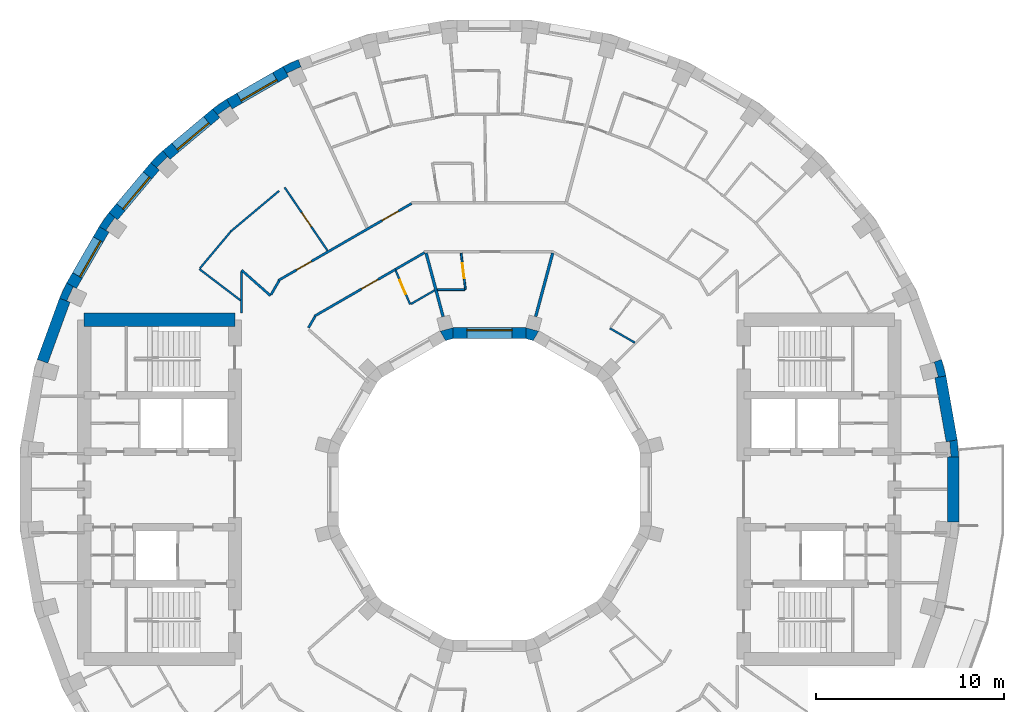
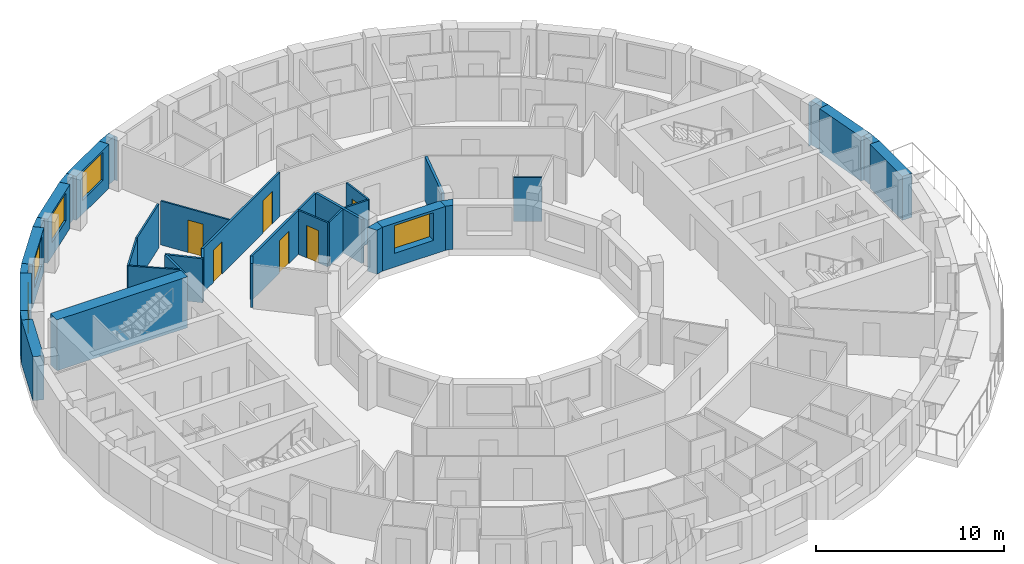
# One storey, part 10 of 14: 36 walls, 6 doors, 5 windows, 11 openings.
"""IFC4 building model written with IfcOpenShell, lengths in metres."""

from ifc_helpers import new_model, si_unit, direction, frame, frame_2d, origin, place, context, subcontext, project, spatial, polyline, rectangle, outline, extrude, material, layer, layer_set, type_object, element, fill, save


model = new_model("IFC4")

# Units and contexts
model_context = context("Model", 3, precision=1e-05, world=origin(), true_north=direction((0.0, 1.0)))
body_context = subcontext(model_context, "Body", "Model", "MODEL_VIEW")
ifc_project = project(units=[si_unit("LENGTHUNIT", "METRE"), si_unit("AREAUNIT", "SQUARE_METRE"), si_unit("VOLUMEUNIT", "CUBIC_METRE"), si_unit("PLANEANGLEUNIT", "RADIAN"), si_unit("MASSUNIT", "GRAM", prefix="KILO")], contexts=[model_context])

# Site, building, storey
site_placement = place(None, origin())
site = spatial("IfcSite", under=ifc_project, at=site_placement, CompositionType="ELEMENT")
building_placement = place(site_placement, origin())
building = spatial("IfcBuilding", under=site, at=building_placement, Name="Saqina Gate Tower", CompositionType="ELEMENT")
storey_placement = place(building_placement, frame((0.0, 0.0, 174.0)))
storey = spatial("IfcBuildingStorey", under=building, at=storey_placement, Name="L49", CompositionType="ELEMENT", Elevation=174.0)

# Walls
ifc_material_1 = material(Name="Brick masonry (buff)", Category="masonry")
wall_type_1 = type_object("IfcWallType", Name="BRICK PIER COPING BUFF", PredefinedType="SOLIDWALL", material=ifc_material_1)
wall_1_placement = place(storey_placement, origin())
element("IfcWall", 1, at=wall_1_placement, inside=storey, type_object=wall_type_1, Name="Pier cap L49 column 1", PredefinedType="SOLIDWALL", context=body_context, shape_type="SweptSolid", body=[
    extrude(outline(polyline([(24.90478515625, 1.724853515625), (24.825927734375, 2.6259765625), (24.235107421875, 2.521728515625), (24.421630859375, 2.5380859375), (24.491455078125, 1.7412109375), (24.304931640625, 1.724853515625), (24.90478515625, 1.724853515625)])), origin(), (0.0, 0.0, 1.0), 2.85009765625),
])
wall_2_placement = place(storey_placement, origin())
element("IfcWall", 2, at=wall_2_placement, inside=storey, type_object=wall_type_1, Name="Pier cap L49 column 2", PredefinedType="SOLIDWALL", context=body_context, shape_type="SweptSolid", body=[
    extrude(outline(polyline([(24.22705078125, 6.0234375), (23.992919921875, 6.897216796875), (23.428955078125, 6.69189453125), (23.610107421875, 6.740478515625), (23.81689453125, 5.967529296875), (23.635986328125, 5.919189453125), (24.22705078125, 6.0234375)])), origin(), (0.0, 0.0, 1.0), 2.85009765625),
])
wall_3_placement = place(storey_placement, origin())
element("IfcWall", 3, at=wall_3_placement, inside=storey, type_object=wall_type_1, Name="Pier cap L49 column 12", PredefinedType="SOLIDWALL", context=body_context, shape_type="SweptSolid", body=[
    extrude(outline(polyline([(-10.958740234375, 22.4306640625), (-10.65869140625, 21.9111328125), (-10.73779296875, 22.080810546875), (-10.0126953125, 22.4189453125), (-9.93359375, 22.249267578125), (-10.138916015625, 22.81298828125), (-10.958740234375, 22.4306640625)])), origin(), (0.0, 0.0, 1.0), 2.85009765625),
])
wall_4_placement = place(storey_placement, origin())
element("IfcWall", 4, at=wall_4_placement, inside=storey, type_object=wall_type_1, Name="Pier cap L49 column 13", PredefinedType="SOLIDWALL", context=body_context, shape_type="SweptSolid", body=[
    extrude(outline(polyline([(-13.9462890625, 20.705810546875), (-14.687255859375, 20.18701171875), (-14.301513671875, 19.727294921875), (-14.408935546875, 19.880859375), (-13.753662109375, 20.339599609375), (-13.646240234375, 20.186279296875), (-13.9462890625, 20.705810546875)])), origin(), (0.0, 0.0, 1.0), 2.85009765625),
])
wall_5_placement = place(storey_placement, origin())
element("IfcWall", 5, at=wall_5_placement, inside=storey, type_object=wall_type_1, Name="Pier cap L49 column 14", PredefinedType="SOLIDWALL", context=body_context, shape_type="SweptSolid", body=[
    extrude(outline(polyline([(-17.969482421875, 17.329833984375), (-17.510009765625, 16.944091796875), (-17.642333984375, 17.07666015625), (-17.07666015625, 17.642333984375), (-16.944091796875, 17.510009765625), (-17.329833984375, 17.969482421875), (-17.969482421875, 17.329833984375)])), origin(), (0.0, 0.0, 1.0), 2.85009765625),
])
wall_6_placement = place(storey_placement, origin())
element("IfcWall", 6, at=wall_6_placement, inside=storey, type_object=wall_type_1, Name="Pier cap L49 column 15", PredefinedType="SOLIDWALL", context=body_context, shape_type="SweptSolid", body=[
    extrude(outline(polyline([(-20.18701171875, 14.687255859375), (-20.705810546875, 13.9462890625), (-20.186279296875, 13.646240234375), (-20.339599609375, 13.753662109375), (-19.880859375, 14.408935546875), (-19.727294921875, 14.301513671875), (-20.18701171875, 14.687255859375)])), origin(), (0.0, 0.0, 1.0), 2.85009765625),
])
wall_7_placement = place(storey_placement, origin())
element("IfcWall", 7, at=wall_7_placement, inside=storey, type_object=wall_type_1, Name="Pier cap L49 column 16", PredefinedType="SOLIDWALL", context=body_context, shape_type="SweptSolid", body=[
    extrude(outline(polyline([(-22.81298828125, 10.138916015625), (-22.249267578125, 9.93359375), (-22.4189453125, 10.0126953125), (-22.080810546875, 10.73779296875), (-21.9111328125, 10.65869140625), (-22.4306640625, 10.958740234375), (-22.81298828125, 10.138916015625)])), origin(), (0.0, 0.0, 1.0), 2.85009765625),
])

# Wall, opening, window
ifc_material_2 = material(Name="Brick masonry (buff)", Category="masonry")
ifc_layer_1 = layer(ifc_material_2, 0.60009765625)
ifc_layer_set_1 = layer_set([ifc_layer_1], Name="FW-BRICK-BUFF")
wall_type_2 = type_object("IfcWallType", Name="FW-BRICK-BUFF", PredefinedType="SOLIDWALL", material=ifc_layer_set_1)
wall_8_placement = place(storey_placement, frame((-10.80859375, 22.1708984375, 0.0), z_axis=(0.0, 0.0, 1.0), x_axis=(-0.86602648383, -0.499998129301, 0.0)))
wall_8 = element("IfcWall", 8, at=wall_8_placement, inside=storey, type_object=wall_type_2, Name="Facade wall L49 facet 12", PredefinedType="SOLIDWALL", context=body_context, shape_type="SweptSolid", body=[
    extrude(rectangle(XDim=3.44970703125, YDim=0.60009765625, at=frame_2d((1.724853515625, 0.0))), origin(), (0.0, 0.0, 1.0), 2.85009765625),
])
opening_1_placement = place(wall_8_placement, frame((0.625, 0.0, 0.89990234375)))
opening_1 = element("IfcOpeningElement", 9, at=opening_1_placement, cuts=wall_8, Name="Opening G14-W10", PredefinedType="OPENING", context=body_context, shape_type="SweptSolid", body=[
    extrude(rectangle(XDim=2.199951171875, YDim=1.800048828125, at=frame_2d((1.10009765625, 0.89990234375))), frame((0.0, 0.31201171875, 0.0), z_axis=(0.0, -1.0, 0.0), x_axis=(1.0, 0.0, 0.0)), (0.0, 0.0, 1.0), 0.6240234375),
])
ifc_material_3 = material(Name="Aluminium glazing", Category="aluminium")
window_type_1 = type_object("IfcWindowType", Name="WN-C", PartitioningType="SINGLE_PANEL", PredefinedType="WINDOW", material=ifc_material_3)
window_1_placement = place(opening_1_placement, origin())
window_1 = element("IfcWindow", 10, at=window_1_placement, inside=storey, type_object=window_type_1, Name="Window L49 facet 12", OverallHeight=1.800048828125, OverallWidth=2.199951171875, PartitioningType="SINGLE_PANEL", PredefinedType="WINDOW", context=body_context, shape_type="SweptSolid", body=[
    extrude(rectangle(XDim=2.199951171875, YDim=1.800048828125, at=frame_2d((1.10009765625, 0.89990234375))), frame((0.0, 0.179931640625, 0.0), z_axis=(0.0, -1.0, 0.0), x_axis=(1.0, 0.0, 0.0)), (0.0, 0.0, 1.0), 0.06005859375),
])
fill(opening_1, window_1)

wall_9_placement = place(storey_placement, frame((-14.494384765625, 19.95703125, 0.0), z_axis=(0.0, 0.0, 1.0), x_axis=(-0.766058884809, -0.642770398358, 0.0)))
wall_9 = element("IfcWall", 11, at=wall_9_placement, inside=storey, type_object=wall_type_2, Name="Facade wall L49 facet 13", PredefinedType="SOLIDWALL", context=body_context, shape_type="SweptSolid", body=[
    extrude(rectangle(XDim=3.449462890625, YDim=0.60009765625, at=frame_2d((1.724609375, 0.0))), origin(), (0.0, 0.0, 1.0), 2.85009765625),
])
opening_2_placement = place(wall_9_placement, frame((0.625, 0.0, 0.89990234375)))
opening_2 = element("IfcOpeningElement", 12, at=opening_2_placement, cuts=wall_9, Name="Opening G14-W11", PredefinedType="OPENING", context=body_context, shape_type="SweptSolid", body=[
    extrude(rectangle(XDim=2.199951171875, YDim=1.800048828125, at=frame_2d((1.10009765625, 0.89990234375))), frame((0.0, 0.31201171875, 0.0), z_axis=(0.0, -1.0, 0.0), x_axis=(1.0, 0.0, 0.0)), (0.0, 0.0, 1.0), 0.6240234375),
])
window_2_placement = place(opening_2_placement, origin())
window_2 = element("IfcWindow", 13, at=window_2_placement, inside=storey, type_object=window_type_1, Name="Window L49 facet 13", OverallHeight=1.800048828125, OverallWidth=2.199951171875, PartitioningType="SINGLE_PANEL", PredefinedType="WINDOW", context=body_context, shape_type="SweptSolid", body=[
    extrude(rectangle(XDim=2.199951171875, YDim=1.800048828125, at=frame_2d((1.10009765625, 0.89990234375))), frame((0.0, 0.179931640625, 0.0), z_axis=(0.0, -1.0, 0.0), x_axis=(1.0, 0.0, 0.0)), (0.0, 0.0, 1.0), 0.06005859375),
])
fill(opening_2, window_2)

wall_10_placement = place(storey_placement, frame((-17.73974609375, 17.136962890625, 0.0), z_axis=(0.0, 0.0, 1.0), x_axis=(-0.642770398358, -0.766058884809, 0.0)))
wall_10 = element("IfcWall", 14, at=wall_10_placement, inside=storey, type_object=wall_type_2, Name="Facade wall L49 facet 14", PredefinedType="SOLIDWALL", context=body_context, shape_type="SweptSolid", body=[
    extrude(rectangle(XDim=3.449462890625, YDim=0.60009765625, at=frame_2d((1.724609375, 0.0))), origin(), (0.0, 0.0, 1.0), 2.85009765625),
])
opening_3_placement = place(wall_10_placement, frame((0.625, 0.0, 0.89990234375)))
opening_3 = element("IfcOpeningElement", 15, at=opening_3_placement, cuts=wall_10, Name="Opening G14-W12", PredefinedType="OPENING", context=body_context, shape_type="SweptSolid", body=[
    extrude(rectangle(XDim=2.199951171875, YDim=1.800048828125, at=frame_2d((1.10009765625, 0.89990234375))), frame((0.0, 0.31201171875, 0.0), z_axis=(0.0, -1.0, 0.0), x_axis=(1.0, 0.0, 0.0)), (0.0, 0.0, 1.0), 0.6240234375),
])
window_3_placement = place(opening_3_placement, origin())
window_3 = element("IfcWindow", 16, at=window_3_placement, inside=storey, type_object=window_type_1, Name="Window L49 facet 14", OverallHeight=1.800048828125, OverallWidth=2.199951171875, PartitioningType="SINGLE_PANEL", PredefinedType="WINDOW", context=body_context, shape_type="SweptSolid", body=[
    extrude(rectangle(XDim=2.199951171875, YDim=1.800048828125, at=frame_2d((1.10009765625, 0.89990234375))), frame((0.0, 0.179931640625, 0.0), z_axis=(0.0, -1.0, 0.0), x_axis=(1.0, 0.0, 0.0)), (0.0, 0.0, 1.0), 0.06005859375),
])
fill(opening_3, window_3)

wall_11_placement = place(storey_placement, frame((-20.446044921875, 13.796142578125, 0.0), z_axis=(0.0, 0.0, 1.0), x_axis=(-0.499998129301, -0.86602648383, 0.0)))
wall_11 = element("IfcWall", 17, at=wall_11_placement, inside=storey, type_object=wall_type_2, Name="Facade wall L49 facet 15", PredefinedType="SOLIDWALL", context=body_context, shape_type="SweptSolid", body=[
    extrude(rectangle(XDim=3.44970703125, YDim=0.60009765625, at=frame_2d((1.724853515625, 0.0))), origin(), (0.0, 0.0, 1.0), 2.85009765625),
])
opening_4_placement = place(wall_11_placement, frame((0.625, 0.0, 0.89990234375)))
opening_4 = element("IfcOpeningElement", 18, at=opening_4_placement, cuts=wall_11, Name="Opening G14-W13", PredefinedType="OPENING", context=body_context, shape_type="SweptSolid", body=[
    extrude(rectangle(XDim=2.199951171875, YDim=1.800048828125, at=frame_2d((1.10009765625, 0.89990234375))), frame((0.0, 0.31201171875, 0.0), z_axis=(0.0, -1.0, 0.0), x_axis=(1.0, 0.0, 0.0)), (0.0, 0.0, 1.0), 0.6240234375),
])
window_4_placement = place(opening_4_placement, origin())
window_4 = element("IfcWindow", 19, at=window_4_placement, inside=storey, type_object=window_type_1, Name="Window L49 facet 15", OverallHeight=1.800048828125, OverallWidth=2.199951171875, PartitioningType="SINGLE_PANEL", PredefinedType="WINDOW", context=body_context, shape_type="SweptSolid", body=[
    extrude(rectangle(XDim=2.199951171875, YDim=1.800048828125, at=frame_2d((1.10009765625, 0.89990234375))), frame((0.0, 0.179931640625, 0.0), z_axis=(0.0, -1.0, 0.0), x_axis=(1.0, 0.0, 0.0)), (0.0, 0.0, 1.0), 0.06005859375),
])
fill(opening_4, window_4)

# Walls
ifc_material_4 = material(Name="Glazed ceramic tile", Category="ceramic")
ifc_layer_2 = layer(ifc_material_4, 0.60009765625)
ifc_layer_set_2 = layer_set([ifc_layer_2], Name="FW-TILE")
wall_type_3 = type_object("IfcWallType", Name="FW-TILE", PredefinedType="SOLIDWALL", material=ifc_layer_set_2)
for number, where, z_axis, x_axis, name in (
    (20, (-22.531005859375, 10.0361328125, 0.0), (0.0, 0.0, 1.0), (-0.342032843455, -0.93968799822, 0.0), "Facade wall L49 facet 16"),
    (21, (24.60498046875, -1.724853515625, 0.0), (0.0, 0.0, 1.0), (0.0, 1.0, 0.0), "Facade wall L49 facet 36"),
):
    element("IfcWall", number, at=place(storey_placement, frame(where, z_axis=z_axis, x_axis=x_axis)), inside=storey, type_object=wall_type_3, Name=name, PredefinedType="SOLIDWALL", context=body_context, shape_type="SweptSolid", body=[
        extrude(rectangle(XDim=3.44970703125, YDim=0.60009765625, at=frame_2d((1.724853515625, 0.0))), origin(), (0.0, 0.0, 1.0), 2.85009765625),
    ])
ifc_material_5 = material(Name="Glazed ceramic tile (dark blue)", Category="ceramic")
ifc_layer_3 = layer(ifc_material_5, 0.60009765625)
ifc_layer_set_3 = layer_set([ifc_layer_3], Name="FW-TILE-CB")
wall_type_4 = type_object("IfcWallType", Name="FW-TILE-CB", PredefinedType="SOLIDWALL", material=ifc_layer_set_3)
wall_12_placement = place(storey_placement, frame((24.530517578125, 2.573974609375, 0.0), z_axis=(0.0, 0.0, 1.0), x_axis=(-0.173607684551, 0.984814892183, 0.0)))
element("IfcWall", 22, at=wall_12_placement, inside=storey, type_object=wall_type_4, Name="Facade wall L49 facet 1", PredefinedType="SOLIDWALL", context=body_context, shape_type="SweptSolid", body=[
    extrude(rectangle(XDim=3.44970703125, YDim=0.60009765625, at=frame_2d((1.724853515625, 0.0))), origin(), (0.0, 0.0, 1.0), 2.85009765625),
])

# Wall, opening, window
ifc_material_6 = material(Name="Glazed ceramic tile", Category="ceramic")
ifc_layer_4 = layer(ifc_material_6, 0.60009765625)
ifc_layer_set_4 = layer_set([ifc_layer_4], Name="IW-TILE")
wall_type_5 = type_object("IfcWallType", Name="IW-TILE", PredefinedType="SOLIDWALL", material=ifc_layer_set_4)
wall_13_placement = place(storey_placement, frame((1.934814453125, 8.300048828125, 0.0), z_axis=(0.0, 0.0, 1.0), x_axis=(-1.0, 0.0, 0.0)))
wall_13 = element("IfcWall", 23, at=wall_13_placement, inside=storey, type_object=wall_type_5, Name="Well wall L49 facet 3", PredefinedType="SOLIDWALL", context=body_context, shape_type="SweptSolid", body=[
    extrude(rectangle(XDim=3.86962890625, YDim=0.60009765625, at=frame_2d((1.934814453125, 0.0))), origin(), (0.0, 0.0, 1.0), 2.85009765625),
])
opening_5_placement = place(wall_13_placement, frame((0.73486328125, 0.0, 0.89990234375)))
opening_5 = element("IfcOpeningElement", 24, at=opening_5_placement, cuts=wall_13, Name="Opening G14-W26", PredefinedType="OPENING", context=body_context, shape_type="SweptSolid", body=[
    extrude(rectangle(XDim=2.39990234375, YDim=1.800048828125, at=frame_2d((1.199951171875, 0.89990234375))), frame((0.0, 0.31201171875, 0.0), z_axis=(0.0, -1.0, 0.0), x_axis=(1.0, 0.0, 0.0)), (0.0, 0.0, 1.0), 0.6240234375),
])
ifc_material_7 = material(Name="Aluminium glazing", Category="aluminium")
window_type_2 = type_object("IfcWindowType", Name="WN-W", PartitioningType="SINGLE_PANEL", PredefinedType="WINDOW", material=ifc_material_7)
window_5_placement = place(opening_5_placement, origin())
window_5 = element("IfcWindow", 25, at=window_5_placement, inside=storey, type_object=window_type_2, Name="Well window L49 facet 3", OverallHeight=1.800048828125, OverallWidth=2.39990234375, PartitioningType="SINGLE_PANEL", PredefinedType="WINDOW", context=body_context, shape_type="SweptSolid", body=[
    extrude(rectangle(XDim=2.39990234375, YDim=1.800048828125, at=frame_2d((1.199951171875, 0.89990234375))), frame((0.0, -0.119873046875, 0.0), z_axis=(0.0, -1.0, 0.0), x_axis=(1.0, 0.0, 0.0)), (0.0, 0.0, 1.0), 0.06005859375),
])
fill(opening_5, window_5)

# Wall, opening, door
ifc_material_8 = material(Name="Gypsum board on steel studs, 100 mm", Category="steel")
ifc_layer_5 = layer(ifc_material_8, 0.10009765625)
ifc_layer_set_5 = layer_set([ifc_layer_5], Name="PARTITION 100")
wall_type_6 = type_object("IfcWallType", Name="PARTITION 100", PredefinedType="PARTITIONING", material=ifc_layer_set_5)
wall_14_placement = place(storey_placement, frame((-1.49853515625, 12.537841796875, 0.0), z_axis=(0.0, 0.0, 1.0), x_axis=(0.118597630283, -0.99294239616, 0.0)))
wall_14 = element("IfcWall", 26, at=wall_14_placement, inside=storey, type_object=wall_type_6, Name="PARTITION PW3-06", PredefinedType="PARTITIONING", context=body_context, shape_type="SweptSolid", body=[
    extrude(rectangle(XDim=1.951416015625, YDim=0.10009765625, at=frame_2d((0.9755859375, 0.0))), origin(), (0.0, 0.0, 1.0), 2.85009765625),
])
opening_6_placement = place(wall_14_placement, frame((0.544677734375, 0.0, 0.0)))
opening_6 = element("IfcOpeningElement", 27, at=opening_6_placement, cuts=wall_14, Name="Opening G14-D20", PredefinedType="OPENING", context=body_context, shape_type="SweptSolid", body=[
    extrude(rectangle(XDim=0.800048828125, YDim=2.10009765625, at=frame_2d((0.39990234375, 1.050048828125))), frame((0.0, 0.06201171875, 0.0), z_axis=(0.0, -1.0, 0.0), x_axis=(1.0, 0.0, 0.0)), (0.0, 0.0, 1.0), 0.1240234375),
])
ifc_material_9 = material(Name="Timber door leaf, 800 mm", Category="wood")
door_type_1 = type_object("IfcDoorType", Name="DOOR 800 TIMBER", OperationType="SINGLE_SWING_LEFT", PredefinedType="DOOR", material=ifc_material_9)
door_1_placement = place(opening_6_placement, origin())
door_1 = element("IfcDoor", 28, at=door_1_placement, inside=storey, type_object=door_type_1, Name="DOOR G14-D20", OperationType="SINGLE_SWING_LEFT", OverallHeight=2.10009765625, OverallWidth=0.800048828125, PredefinedType="DOOR", context=body_context, shape_type="SweptSolid", body=[
    extrude(rectangle(XDim=0.800048828125, YDim=2.10009765625, at=frame_2d((0.39990234375, 1.050048828125))), frame((0.0, 0.02490234375, 0.0), z_axis=(0.0, -1.0, 0.0), x_axis=(1.0, 0.0, 0.0)), (0.0, 0.0, 1.0), 0.050048828125),
])
fill(opening_6, door_1)

wall_15_placement = place(storey_placement, frame((-4.971435546875, 11.607421875, 0.0), z_axis=(0.0, 0.0, 1.0), x_axis=(0.393707969646, -0.919235570807, 0.0)))
wall_15 = element("IfcWall", 29, at=wall_15_placement, inside=storey, type_object=wall_type_6, Name="PARTITION PW3-17", PredefinedType="PARTITIONING", context=body_context, shape_type="SweptSolid", body=[
    extrude(rectangle(XDim=1.9521484375, YDim=0.10009765625, at=frame_2d((0.97607421875, 0.0))), origin(), (0.0, 0.0, 1.0), 2.85009765625),
])
opening_7_placement = place(wall_15_placement, frame((0.544677734375, 0.0, 0.0)))
opening_7 = element("IfcOpeningElement", 30, at=opening_7_placement, cuts=wall_15, Name="Opening G14-D27", PredefinedType="OPENING", context=body_context, shape_type="SweptSolid", body=[
    extrude(rectangle(XDim=0.800048828125, YDim=2.10009765625, at=frame_2d((0.39990234375, 1.050048828125))), frame((0.0, 0.06201171875, 0.0), z_axis=(0.0, -1.0, 0.0), x_axis=(1.0, 0.0, 0.0)), (0.0, 0.0, 1.0), 0.1240234375),
])
door_2_placement = place(opening_7_placement, frame((0.800048828125, 0.0, 0.0), z_axis=(0.0, 0.0, 1.0), x_axis=(-1.0, 0.0, 0.0)))
door_2 = element("IfcDoor", 31, at=door_2_placement, inside=storey, type_object=door_type_1, Name="DOOR G14-D27", OperationType="SINGLE_SWING_RIGHT", OverallHeight=2.10009765625, OverallWidth=0.800048828125, PredefinedType="DOOR", context=body_context, shape_type="SweptSolid", body=[
    extrude(rectangle(XDim=0.800048828125, YDim=2.10009765625, at=frame_2d((0.39990234375, 1.050048828125))), frame((0.0, 0.02490234375, 0.0), z_axis=(0.0, -1.0, 0.0), x_axis=(1.0, 0.0, 0.0)), (0.0, 0.0, 1.0), 0.050048828125),
])
fill(opening_7, door_2)

wall_16_placement = place(storey_placement, frame((-10.862060546875, 16.02001953125, 0.0), z_axis=(0.0, 0.0, 1.0), x_axis=(0.5612995905, -0.827612693054, 0.0)))
wall_16 = element("IfcWall", 32, at=wall_16_placement, inside=storey, type_object=wall_type_6, Name="PARTITION PW3-24", PredefinedType="PARTITIONING", context=body_context, shape_type="SweptSolid", body=[
    extrude(rectangle(XDim=4.052978515625, YDim=0.10009765625, at=frame_2d((2.0263671875, 0.0))), origin(), (0.0, 0.0, 1.0), 2.85009765625),
])
opening_8_placement = place(wall_16_placement, frame((1.607666015625, 0.0, 0.0)))
opening_8 = element("IfcOpeningElement", 33, at=opening_8_placement, cuts=wall_16, Name="Opening G14-D29", PredefinedType="OPENING", context=body_context, shape_type="SweptSolid", body=[
    extrude(rectangle(XDim=0.89990234375, YDim=2.10009765625, at=frame_2d((0.449951171875, 1.050048828125))), frame((0.0, 0.06201171875, 0.0), z_axis=(0.0, -1.0, 0.0), x_axis=(1.0, 0.0, 0.0)), (0.0, 0.0, 1.0), 0.1240234375),
])
ifc_material_10 = material(Name="Timber door leaf, 900 mm", Category="wood")
door_type_2 = type_object("IfcDoorType", Name="DOOR 900 TIMBER", OperationType="SINGLE_SWING_LEFT", PredefinedType="DOOR", material=ifc_material_10)
door_3_placement = place(opening_8_placement, origin())
door_3 = element("IfcDoor", 34, at=door_3_placement, inside=storey, type_object=door_type_2, Name="DOOR G14-D29", OperationType="SINGLE_SWING_RIGHT", OverallHeight=2.10009765625, OverallWidth=0.89990234375, PredefinedType="DOOR", context=body_context, shape_type="SweptSolid", body=[
    extrude(rectangle(XDim=0.89990234375, YDim=2.10009765625, at=frame_2d((0.449951171875, 1.050048828125))), frame((0.0, 0.02490234375, 0.0), z_axis=(0.0, -1.0, 0.0), x_axis=(1.0, 0.0, 0.0)), (0.0, 0.0, 1.0), 0.050048828125),
])
fill(opening_8, door_3)

# Walls
wall_17_placement = place(storey_placement, frame((-15.389892578125, 11.69091796875, 0.0), z_axis=(0.0, 0.0, 1.0), x_axis=(0.796245993269, -0.604972989647, 0.0)))
element("IfcWall", 35, at=wall_17_placement, inside=storey, type_object=wall_type_6, Name="PARTITION PW3-32", PredefinedType="PARTITIONING", context=body_context, shape_type="SweptSolid", body=[
    extrude(rectangle(XDim=2.750732421875, YDim=0.10009765625, at=frame_2d((1.37548828125, 0.0))), origin(), (0.0, 0.0, 1.0), 2.85009765625),
])
wall_18_placement = place(storey_placement, frame((6.39697265625, 8.5458984375, 0.0), z_axis=(0.0, 0.0, 1.0), x_axis=(0.866313615635, -0.499500469836, 0.0)))
element("IfcWall", 36, at=wall_18_placement, inside=storey, type_object=wall_type_6, Name="PARTITION PW3-39", PredefinedType="PARTITIONING", context=body_context, shape_type="SweptSolid", body=[
    extrude(rectangle(XDim=1.5234375, YDim=0.10009765625, at=frame_2d((0.76171875, 0.0))), origin(), (0.0, 0.0, 1.0), 2.85009765625),
])
wall_19_placement = place(storey_placement, frame((-2.764892578125, 10.60009765625, 0.0), z_axis=(0.0, 0.0, 1.0), x_axis=(1.0, 0.0, 0.0)))
element("IfcWall", 37, at=wall_19_placement, inside=storey, type_object=wall_type_6, Name="PARTITION PW3-54", PredefinedType="PARTITIONING", context=body_context, shape_type="SweptSolid", body=[
    extrude(rectangle(XDim=1.447998046875, YDim=0.10009765625, at=frame_2d((0.72412109375, 0.0))), origin(), (0.0, 0.0, 1.0), 2.85009765625),
])
wall_20_placement = place(storey_placement, frame((-4.15966796875, 9.837890625, 0.0), z_axis=(0.0, 0.0, 1.0), x_axis=(0.865952650684, 0.500125990899, 0.0)))
element("IfcWall", 38, at=wall_20_placement, inside=storey, type_object=wall_type_6, Name="PARTITION PW3-71", PredefinedType="PARTITIONING", context=body_context, shape_type="SweptSolid", body=[
    extrude(rectangle(XDim=1.448974609375, YDim=0.10009765625, at=frame_2d((0.724609375, 0.0))), origin(), (0.0, 0.0, 1.0), 2.85009765625),
])
wall_21_placement = place(storey_placement, frame((-13.741943359375, 13.67041015625, 0.0), z_axis=(0.0, 0.0, 1.0), x_axis=(0.766150226106, 0.642661521361, 0.0)))
element("IfcWall", 39, at=wall_21_placement, inside=storey, type_object=wall_type_6, Name="PARTITION PW3-77", PredefinedType="PARTITIONING", context=body_context, shape_type="SweptSolid", body=[
    extrude(rectangle(XDim=3.378662109375, YDim=0.10009765625, at=frame_2d((1.689453125, 0.0))), origin(), (0.0, 0.0, 1.0), 2.85009765625),
])
wall_22_placement = place(storey_placement, frame((-15.35693359375, 11.731201171875, 0.0), z_axis=(0.0, 0.0, 1.0), x_axis=(0.64263607703, 0.76617156858, 0.0)))
element("IfcWall", 40, at=wall_22_placement, inside=storey, type_object=wall_type_6, Name="PARTITION PW3-82", PredefinedType="PARTITIONING", context=body_context, shape_type="SweptSolid", body=[
    extrude(rectangle(XDim=2.523681640625, YDim=0.10009765625, at=frame_2d((1.26171875, 0.0))), origin(), (0.0, 0.0, 1.0), 2.85009765625),
])
ifc_material_11 = material(Name="Gypsum board on steel studs, 125 mm, fire rated", Category="steel")
ifc_layer_6 = layer(ifc_material_11, 0.125)
ifc_layer_set_6 = layer_set([ifc_layer_6], Name="PARTITION EI 30 125")
wall_type_7 = type_object("IfcWallType", Name="PARTITION EI 30 125", PredefinedType="PARTITIONING", material=ifc_layer_set_6)
wall_23_placement = place(storey_placement, frame((-13.14990234375, 11.634033203125, 0.0), z_axis=(0.0, 0.0, 1.0), x_axis=(0.74902616167, -0.662540420754, 0.0)))
element("IfcWall", 41, at=wall_23_placement, inside=storey, type_object=wall_type_7, Name="PARTITION PW1-10", PredefinedType="PARTITIONING", context=body_context, shape_type="SweptSolid", body=[
    extrude(rectangle(XDim=2.046630859375, YDim=0.125, at=frame_2d((1.0234375, 0.0))), origin(), (0.0, 0.0, 1.0), 2.85009765625),
])

# Wall, opening, door
wall_24_placement = place(storey_placement, frame((-9.28662109375, 9.18798828125, 0.0), z_axis=(0.0, 0.0, 1.0), x_axis=(0.866054867757, 0.499948963429, 0.0)))
wall_24 = element("IfcWall", 42, at=wall_24_placement, inside=storey, type_object=wall_type_7, Name="PARTITION PW1-39", PredefinedType="PARTITIONING", context=body_context, shape_type="SweptSolid", body=[
    extrude(rectangle(XDim=4.97607421875, YDim=0.125, at=frame_2d((2.488037109375, 0.0))), origin(), (0.0, 0.0, 1.0), 2.85009765625),
])
opening_9_placement = place(wall_24_placement, frame((2.897705078125, 0.0, 0.0)))
opening_9 = element("IfcOpeningElement", 43, at=opening_9_placement, cuts=wall_24, Name="Opening G14-D28", PredefinedType="OPENING", context=body_context, shape_type="SweptSolid", body=[
    extrude(rectangle(XDim=1.0, YDim=2.10009765625, at=frame_2d((0.5, 1.050048828125))), frame((0.0, 0.074462890625, 0.0), z_axis=(0.0, -1.0, 0.0), x_axis=(1.0, 0.0, 0.0)), (0.0, 0.0, 1.0), 0.14892578125),
])
ifc_material_12 = material(Name="Fire door leaf EI 30, 1000 mm")
door_type_3 = type_object("IfcDoorType", Name="DOOR 1000 EI 30", OperationType="SINGLE_SWING_LEFT", PredefinedType="DOOR", material=ifc_material_12)
door_4_placement = place(opening_9_placement, frame((1.0, 0.0, 0.0), z_axis=(0.0, 0.0, 1.0), x_axis=(-1.0, 0.0, 0.0)))
door_4 = element("IfcDoor", 44, at=door_4_placement, inside=storey, type_object=door_type_3, Name="DOOR G14-D28", OperationType="SINGLE_SWING_LEFT", OverallHeight=2.10009765625, OverallWidth=1.0, PredefinedType="DOOR", context=body_context, shape_type="SweptSolid", body=[
    extrude(rectangle(XDim=1.0, YDim=2.10009765625, at=frame_2d((0.5, 1.050048828125))), frame((0.0, 0.02490234375, 0.0), z_axis=(0.0, -1.0, 0.0), x_axis=(1.0, 0.0, 0.0)), (0.0, 0.0, 1.0), 0.050048828125),
])
fill(opening_9, door_4)

# Wall
wall_25_placement = place(storey_placement, frame((-4.97705078125, 11.67578125, 0.0), z_axis=(0.0, 0.0, 1.0), x_axis=(0.866066400931, 0.499928984136, 0.0)))
element("IfcWall", 45, at=wall_25_placement, inside=storey, type_object=wall_type_7, Name="PARTITION PW1-40", PredefinedType="PARTITIONING", context=body_context, shape_type="SweptSolid", body=[
    extrude(rectangle(XDim=1.773681640625, YDim=0.125, at=frame_2d((0.88671875, 0.0))), origin(), (0.0, 0.0, 1.0), 2.85009765625),
])

# Wall, openings, doors
wall_26_placement = place(storey_placement, frame((-11.189453125, 11.0908203125, 0.0), z_axis=(0.0, 0.0, 1.0), x_axis=(0.865999621737, 0.500044653157, 0.0)))
wall_26 = element("IfcWall", 46, at=wall_26_placement, inside=storey, type_object=wall_type_7, Name="PARTITION PW1-41", PredefinedType="PARTITIONING", context=body_context, shape_type="SweptSolid", body=[
    extrude(rectangle(XDim=8.155029296875, YDim=0.125, at=frame_2d((4.07763671875, 0.0))), origin(), (0.0, 0.0, 1.0), 2.85009765625),
])
opening_10_placement = place(wall_26_placement, frame((6.346435546875, 0.0, 0.0)))
opening_10 = element("IfcOpeningElement", 47, at=opening_10_placement, cuts=wall_26, Name="Opening G14-D25", PredefinedType="OPENING", context=body_context, shape_type="SweptSolid", body=[
    extrude(rectangle(XDim=1.0, YDim=2.10009765625, at=frame_2d((0.5, 1.050048828125))), frame((0.0, 0.074462890625, 0.0), z_axis=(0.0, -1.0, 0.0), x_axis=(1.0, 0.0, 0.0)), (0.0, 0.0, 1.0), 0.14892578125),
])
opening_11_placement = place(wall_26_placement, frame((1.10888671875, 0.0, 0.0)))
opening_11 = element("IfcOpeningElement", 48, at=opening_11_placement, cuts=wall_26, Name="Opening G14-D30", PredefinedType="OPENING", context=body_context, shape_type="SweptSolid", body=[
    extrude(rectangle(XDim=0.89990234375, YDim=2.10009765625, at=frame_2d((0.449951171875, 1.050048828125))), frame((0.0, 0.074462890625, 0.0), z_axis=(0.0, -1.0, 0.0), x_axis=(1.0, 0.0, 0.0)), (0.0, 0.0, 1.0), 0.14892578125),
])
door_5_placement = place(opening_10_placement, origin())
door_5 = element("IfcDoor", 49, at=door_5_placement, inside=storey, type_object=door_type_3, Name="DOOR G14-D25", OperationType="SINGLE_SWING_RIGHT", OverallHeight=2.10009765625, OverallWidth=1.0, PredefinedType="DOOR", context=body_context, shape_type="SweptSolid", body=[
    extrude(rectangle(XDim=1.0, YDim=2.10009765625, at=frame_2d((0.5, 1.050048828125))), frame((0.0, 0.02490234375, 0.0), z_axis=(0.0, -1.0, 0.0), x_axis=(1.0, 0.0, 0.0)), (0.0, 0.0, 1.0), 0.050048828125),
])
fill(opening_10, door_5)
ifc_material_13 = material(Name="Fire door leaf EI 30, 900 mm")
door_type_4 = type_object("IfcDoorType", Name="DOOR 900 EI 30", OperationType="SINGLE_SWING_LEFT", PredefinedType="DOOR", material=ifc_material_13)
door_6_placement = place(opening_11_placement, origin())
door_6 = element("IfcDoor", 50, at=door_6_placement, inside=storey, type_object=door_type_4, Name="DOOR G14-D30", OperationType="SINGLE_SWING_LEFT", OverallHeight=2.10009765625, OverallWidth=0.89990234375, PredefinedType="DOOR", context=body_context, shape_type="SweptSolid", body=[
    extrude(rectangle(XDim=0.89990234375, YDim=2.10009765625, at=frame_2d((0.449951171875, 1.050048828125))), frame((0.0, 0.02490234375, 0.0), z_axis=(0.0, -1.0, 0.0), x_axis=(1.0, 0.0, 0.0)), (0.0, 0.0, 1.0), 0.050048828125),
])
fill(opening_11, door_6)

# Walls
wall_27_placement = place(storey_placement, frame((-9.598876953125, 8.57421875, 0.0), z_axis=(0.0, 0.0, 1.0), x_axis=(0.499804398801, 0.866138304741, 0.0)))
element("IfcWall", 51, at=wall_27_placement, inside=storey, type_object=wall_type_7, Name="PARTITION PW1-47", PredefinedType="PARTITIONING", context=body_context, shape_type="SweptSolid", body=[
    extrude(rectangle(XDim=0.687744140625, YDim=0.125, at=frame_2d((0.34375, 0.0))), origin(), (0.0, 0.0, 1.0), 2.85009765625),
])
wall_28_placement = place(storey_placement, frame((-11.585693359375, 10.33203125, 0.0), z_axis=(0.0, 0.0, 1.0), x_axis=(0.499854250852, 0.866109535743, 0.0)))
element("IfcWall", 52, at=wall_28_placement, inside=storey, type_object=wall_type_7, Name="PARTITION PW1-48", PredefinedType="PARTITIONING", context=body_context, shape_type="SweptSolid", body=[
    extrude(rectangle(XDim=0.855224609375, YDim=0.125, at=frame_2d((0.427734375, 0.0))), origin(), (0.0, 0.0, 1.0), 2.85009765625),
])
wall_29_placement = place(storey_placement, frame((-13.14990234375, 9.35009765625, 0.0), z_axis=(0.0, 0.0, 1.0), x_axis=(0.0, 1.0, 0.0)))
element("IfcWall", 53, at=wall_29_placement, inside=storey, type_object=wall_type_7, Name="PARTITION PW1-52", PredefinedType="PARTITIONING", context=body_context, shape_type="SweptSolid", body=[
    extrude(rectangle(XDim=2.221435546875, YDim=0.125, at=frame_2d((1.11083984375, 0.0))), origin(), (0.0, 0.0, 1.0), 2.85009765625),
])
ifc_material_14 = material(Name="Gypsum board on steel studs, 150 mm, fire rated", Category="steel")
ifc_layer_7 = layer(ifc_material_14, 0.14990234375)
ifc_layer_set_7 = layer_set([ifc_layer_7], Name="PARTITION EI 60 150")
wall_type_8 = type_object("IfcWallType", Name="PARTITION EI 60 150", PredefinedType="PARTITIONING", material=ifc_layer_set_7)
for number, where, z_axis, x_axis, name in (
    (54, (-3.358642578125, 12.5400390625, 0.0), (0.0, 0.0, 1.0), (0.258289617132, -0.966067530601, 0.0), "PARTITION PW2-01"),
    (55, (2.45703125, 9.168701171875, 0.0), (0.0, 0.0, 1.0), (0.258716268746, 0.96595335927, 0.0), "PARTITION PW2-07"),
):
    element("IfcWall", number, at=place(storey_placement, frame(where, z_axis=z_axis, x_axis=x_axis)), inside=storey, type_object=wall_type_8, Name=name, PredefinedType="PARTITIONING", context=body_context, shape_type="SweptSolid", body=[
        extrude(rectangle(XDim=3.48974609375, YDim=0.14990234375, at=frame_2d((1.744873046875, 0.0))), origin(), (0.0, 0.0, 1.0), 2.85009765625),
    ])
ifc_material_15 = material(Name="Concrete C60/75", Category="concrete")
ifc_layer_8 = layer(ifc_material_15, 0.699951171875)
ifc_layer_set_8 = layer_set([ifc_layer_8], Name="Concrete C60/75")
wall_type_9 = type_object("IfcWallType", Name="STR-CORE WALL-C-O", PredefinedType="SHEAR", material=ifc_layer_set_8)
wall_30_placement = place(storey_placement, frame((-13.5, 9.0, 0.0), z_axis=(0.0, 0.0, 1.0), x_axis=(-1.0, 0.0, 0.0)))
element("IfcWall", 56, at=wall_30_placement, inside=storey, type_object=wall_type_9, Name="CORE WALL L49 W-NE", PredefinedType="SHEAR", context=body_context, shape_type="SweptSolid", body=[
    extrude(rectangle(XDim=8.0, YDim=0.699951171875, at=frame_2d((4.0, 0.0))), origin(), (0.0, 0.0, 1.0), 3.300048828125),
])
ifc_material_16 = material(Name="Glazed ceramic tile", Category="ceramic")
wall_type_10 = type_object("IfcWallType", Name="TILE PIER COPING", PredefinedType="SOLIDWALL", material=ifc_material_16)
wall_31_placement = place(storey_placement, origin())
element("IfcWall", 57, at=wall_31_placement, inside=storey, type_object=wall_type_10, Name="Well pier cap L49 column 3", PredefinedType="SOLIDWALL", context=body_context, shape_type="SweptSolid", body=[
    extrude(outline(polyline([(1.934814453125, 8.573486328125), (1.934814453125, 8.0), (2.32421875, 7.895751953125), (2.611083984375, 8.392333984375), (1.934814453125, 8.573486328125)])), origin(), (0.0, 0.0, 1.0), 2.85009765625),
])
wall_32_placement = place(storey_placement, origin())
element("IfcWall", 58, at=wall_32_placement, inside=storey, type_object=wall_type_10, Name="Well pier cap L49 column 4", PredefinedType="SOLIDWALL", context=body_context, shape_type="SweptSolid", body=[
    extrude(outline(polyline([(-1.934814453125, 8.0), (-1.934814453125, 8.573486328125), (-2.611083984375, 8.392333984375), (-2.32421875, 7.895751953125), (-1.934814453125, 8.0)])), origin(), (0.0, 0.0, 1.0), 2.85009765625),
])

save(model, "model.ifc")
